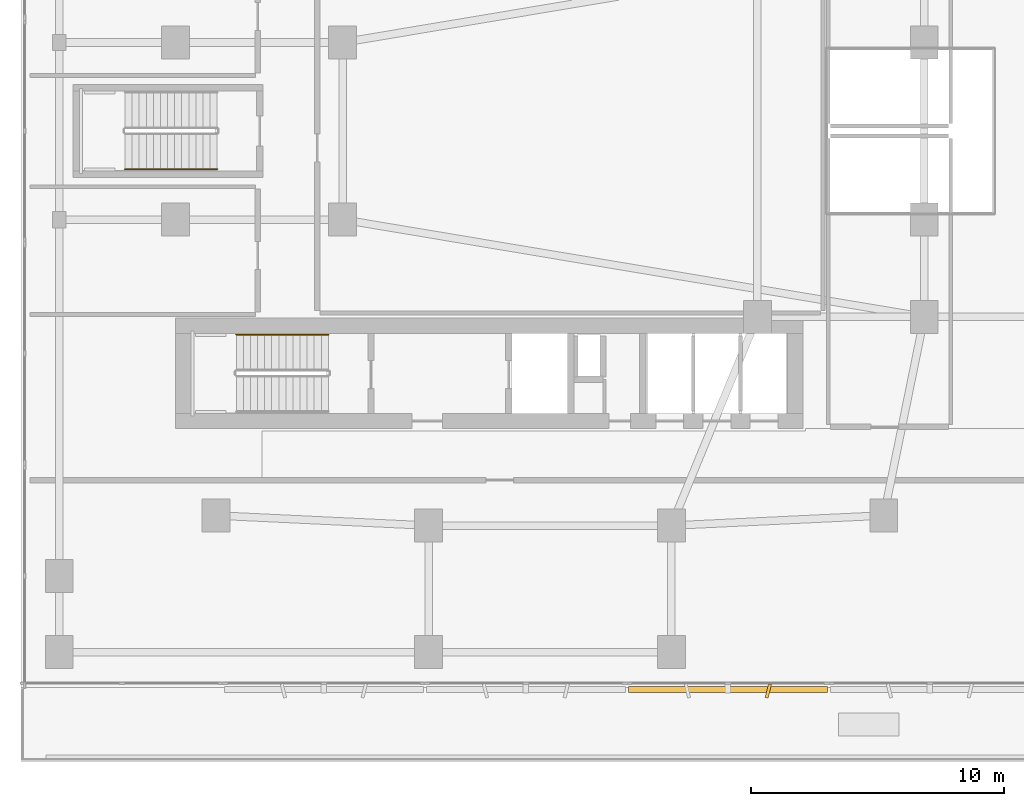
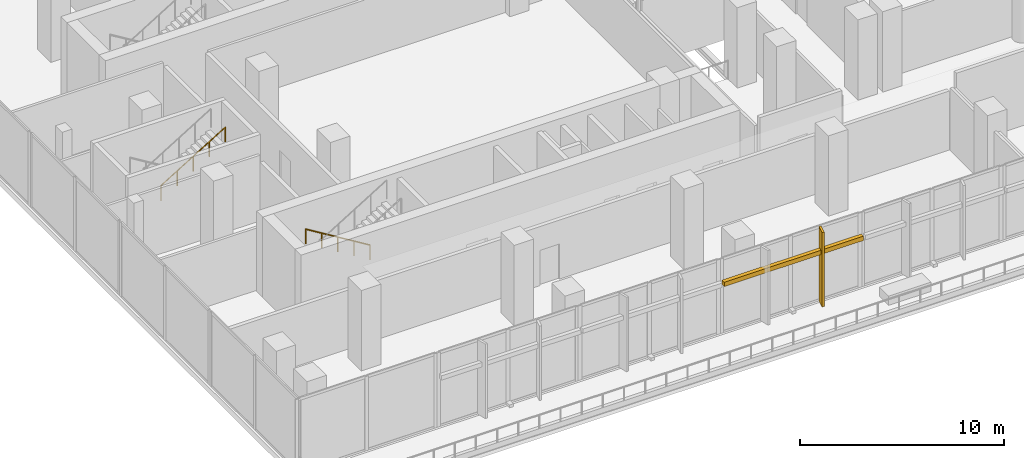
# One storey, part 19 of 30: 2 railings, 2 shading devices.
"""IFC4 building model written with IfcOpenShell, lengths in metres."""

from ifc_helpers import new_model, si_unit, derived_unit, direction, frame, origin, origin_2d, place, context, subcontext, project, spatial, rectangle, circle, extrude, material, type_object, element, save


model = new_model("IFC4")

# Units and contexts
model_context = context("Model", 3, precision=1e-05, world=origin(), true_north=direction((0.0, 1.0)))
body_context = subcontext(model_context, "Body", "Model", "MODEL_VIEW")
ifc_project = project(units=[si_unit("LENGTHUNIT", "METRE"), si_unit("AREAUNIT", "SQUARE_METRE"), si_unit("VOLUMEUNIT", "CUBIC_METRE"), si_unit("PLANEANGLEUNIT", "RADIAN"), si_unit("MASSUNIT", "GRAM", prefix="KILO"), derived_unit("THERMALTRANSMITTANCEUNIT", [(si_unit("POWERUNIT", "WATT"), 1), (si_unit("LENGTHUNIT", "METRE"), -2), (si_unit("THERMODYNAMICTEMPERATUREUNIT", "KELVIN"), -1)])], contexts=[model_context])

# Site, building, storey
site_placement = place(None, origin())
site = spatial("IfcSite", under=ifc_project, at=site_placement, CompositionType="ELEMENT")
building_placement = place(site_placement, origin())
building = spatial("IfcBuilding", under=site, at=building_placement, Name="Kivonza Crest Hotel", CompositionType="ELEMENT")
storey_placement = place(building_placement, frame((0.0, 0.0, 10.199951171875)))
storey = spatial("IfcBuildingStorey", under=building, at=storey_placement, Name="L02", CompositionType="ELEMENT", Elevation=10.199951171875)

# Railings
ifc_material_1 = material(Name="Brushed stainless steel handrail", Category="steel")
railing_type = type_object("IfcRailingType", Name="RL-HAND-900", PredefinedType="HANDRAIL", material=ifc_material_1)
railing_1_placement = place(storey_placement, frame((12.239990234375, 16.949951171875, 0.17138671875)))
element("IfcRailing", 1, at=railing_1_placement, inside=storey, type_object=railing_type, Name="L02 ST-T1-S stair handrail 1", PredefinedType="HANDRAIL", context=body_context, shape_type="SweptSolid", body=[
    extrude(circle(Radius=0.02392578125, at=origin_2d()), frame((0.0, 0.0, 0.8759765625), z_axis=(-0.852824790078, 0.0, 0.522197163366), x_axis=(0.0, -1.0, 0.0)), (0.0, 0.0, 1.0), 4.26806640625),
    extrude(circle(Radius=0.02099609375, at=origin_2d()), origin(), (0.0, 0.0, 1.0), 0.851806640625),
    extrude(circle(Radius=0.02099609375, at=origin_2d()), frame((-0.909912109375, 0.0, 0.55712890625)), (0.0, 0.0, 1.0), 0.851806640625),
    extrude(circle(Radius=0.02099609375, at=origin_2d()), frame((-1.81982421875, 0.0, 1.1142578125)), (0.0, 0.0, 1.0), 0.851806640625),
    extrude(circle(Radius=0.02099609375, at=origin_2d()), frame((-2.72998046875, 0.0, 1.671630859375)), (0.0, 0.0, 1.0), 0.851806640625),
    extrude(circle(Radius=0.02099609375, at=origin_2d()), frame((-3.639892578125, 0.0, 2.228759765625)), (0.0, 0.0, 1.0), 0.851806640625),
])
railing_2_placement = place(storey_placement, frame((4.199951171875, 23.489990234375, 2.571533203125)))
element("IfcRailing", 2, at=railing_2_placement, inside=storey, type_object=railing_type, Name="L02 ST-POD-W stair handrail 2", PredefinedType="HANDRAIL", context=body_context, shape_type="SweptSolid", body=[
    extrude(circle(Radius=0.02392578125, at=origin_2d()), frame((0.0, 0.0, 0.8759765625), z_axis=(0.852865859571, 0.0, 0.52213008492), x_axis=(0.0, 1.0, 0.0)), (0.0, 0.0, 1.0), 4.26806640625),
    extrude(circle(Radius=0.02099609375, at=origin_2d()), origin(), (0.0, 0.0, 1.0), 0.851806640625),
    extrude(circle(Radius=0.02099609375, at=origin_2d()), frame((0.91015625, 0.0, 0.55712890625)), (0.0, 0.0, 1.0), 0.851806640625),
    extrude(circle(Radius=0.02099609375, at=origin_2d()), frame((1.820068359375, 0.0, 1.1142578125)), (0.0, 0.0, 1.0), 0.851806640625),
    extrude(circle(Radius=0.02099609375, at=origin_2d()), frame((2.72998046875, 0.0, 1.67138671875)), (0.0, 0.0, 1.0), 0.851806640625),
    extrude(circle(Radius=0.02099609375, at=origin_2d()), frame((3.64013671875, 0.0, 2.228515625)), (0.0, 0.0, 1.0), 0.851806640625),
])

# Shading devices
ifc_material_2 = material(Name="Kiln-fired Nairobi red-ochre terracotta", Category="masonry")
shading_device_type_1 = type_object("IfcShadingDeviceType", Name="SH-BAGUETTE-300", PredefinedType="USERDEFINED", material=ifc_material_2)
shading_device_1_placement = place(storey_placement, frame((28.033935546875, 2.919921875, 2.98486328125), z_axis=(0.0, 0.0, 1.0), x_axis=(1.0, 0.0, 0.0)))
element("IfcShadingDevice", 3, at=shading_device_1_placement, inside=storey, type_object=shading_device_type_1, Name="L02 terracotta baguette screen CW-POD-L02-04", ObjectType="BAGUETTE", PredefinedType="USERDEFINED", context=body_context, shape_type="SweptSolid", body=[
    extrude(rectangle(XDim=7.866943359375, YDim=0.219970703125, at=origin_2d()), origin(), (0.0, 0.0, 1.0), 0.260009765625),
])
ifc_material_3 = material(Name="Kiln-fired terracotta over extruded aluminium spine", Category="masonry")
shading_device_type_2 = type_object("IfcShadingDeviceType", Name="SH-FIN-550", PredefinedType="USERDEFINED", material=ifc_material_3)
shading_device_2_placement = place(storey_placement, frame((29.631103515625, 2.860107421875, 0.0), z_axis=(0.0, 0.0, 1.0), x_axis=(0.970295726276, -0.2419218956, 0.0)))
element("IfcShadingDevice", 4, at=shading_device_2_placement, inside=storey, type_object=shading_device_type_2, Name="L02 vertical solar shading fin CW-POD-L02-04-2", ObjectType="FIN", PredefinedType="USERDEFINED", context=body_context, shape_type="SweptSolid", body=[
    extrude(rectangle(XDim=0.1201171875, YDim=0.550048828125, at=origin_2d()), origin(), (0.0, 0.0, 1.0), 4.449951171875),
])

save(model, "model.ifc")
